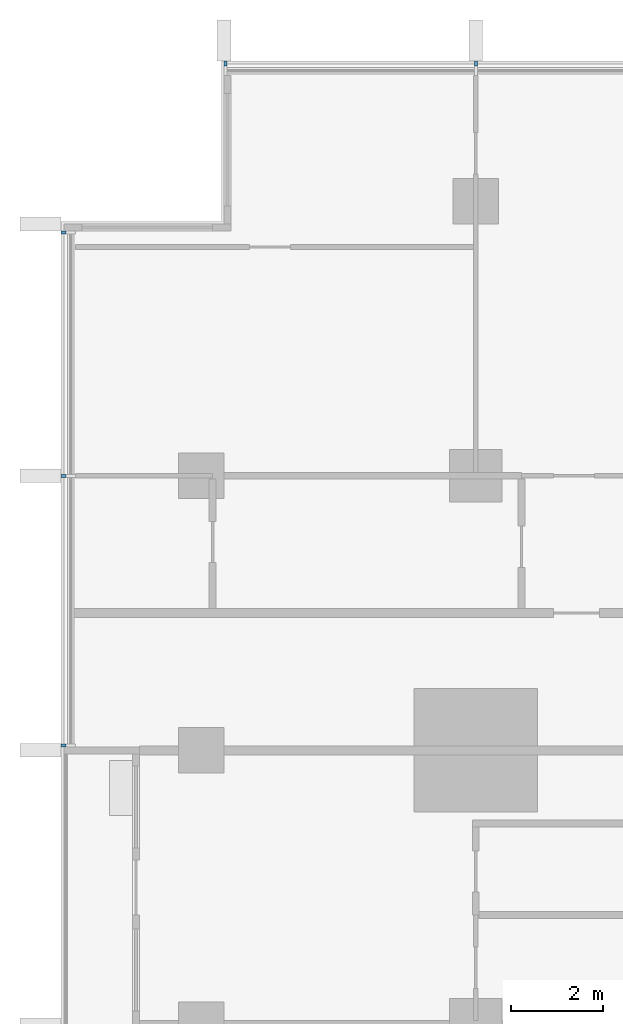
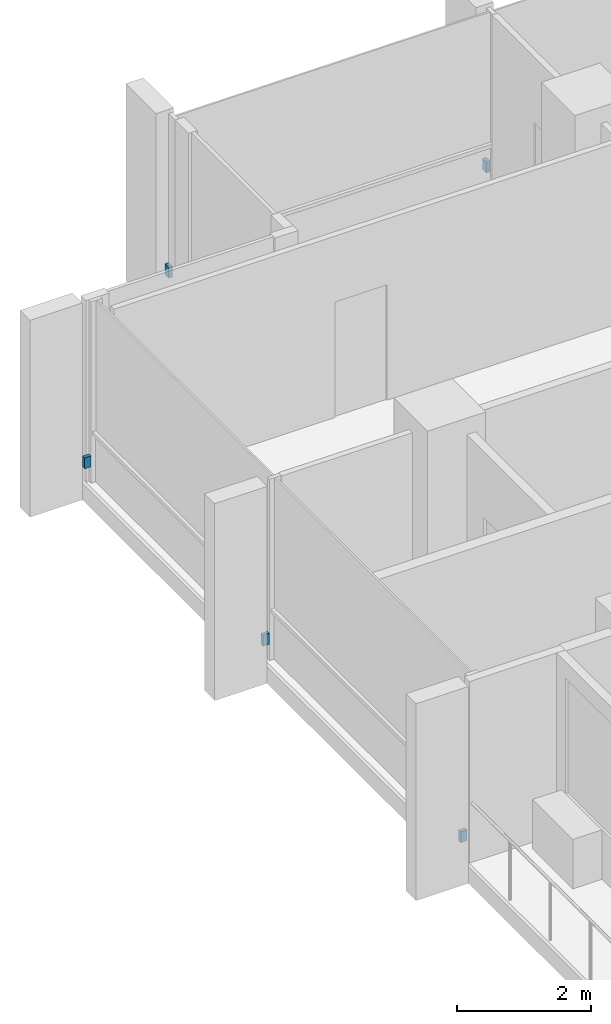
# One storey, part 15 of 17: 5 discrete accessories.
"""IFC4 building model written with IfcOpenShell, lengths in metres."""

from ifc_helpers import new_model, si_unit, direction, frame, origin, origin_2d, place, context, subcontext, project, spatial, rectangle, extrude, material, type_object, element, save


model = new_model("IFC4")

# Units and contexts
model_context = context("Model", 3, precision=1e-05, world=origin(), true_north=direction((0.0, 1.0)))
body_context = subcontext(model_context, "Body", "Model", "MODEL_VIEW")
ifc_project = project(units=[si_unit("LENGTHUNIT", "METRE"), si_unit("AREAUNIT", "SQUARE_METRE"), si_unit("VOLUMEUNIT", "CUBIC_METRE"), si_unit("PLANEANGLEUNIT", "RADIAN"), si_unit("MASSUNIT", "GRAM", prefix="KILO")], contexts=[model_context])

# Site, building, storey
site_placement = place(None, origin())
site = spatial("IfcSite", under=ifc_project, at=site_placement, CompositionType="ELEMENT")
building_placement = place(site_placement, origin())
building = spatial("IfcBuilding", under=site, at=building_placement, Name="Finial Court Residences", CompositionType="ELEMENT")
storey_placement = place(building_placement, frame((0.0, 0.0, 117.10009765625)))
storey = spatial("IfcBuildingStorey", under=building, at=storey_placement, Name="L29", CompositionType="ELEMENT", Elevation=117.10009765625)

# Discrete accessories
ifc_material = material(Name="Stainless steel 316", Category="steel")
discrete_accessory_type = type_object("IfcDiscreteAccessoryType", Name="Fin bracket, stainless steel 65 x 110 x 200", PredefinedType="BRACKET", material=ifc_material)
for number, where, z_axis, x_axis, name in (
    (1, (-21.967529296875, 22.5048828125, 0.2998046875), (0.0, 0.0, 1.0), (1.0, 0.0, 0.0), "E-L29-FIN-N1-BRK"),
    (2, (-16.5, 22.5048828125, 0.2998046875), (0.0, 0.0, 1.0), (1.0, 0.0, 0.0), "E-L29-FIN-N2-BRK"),
):
    element("IfcDiscreteAccessory", number, at=place(storey_placement, frame(where, z_axis=z_axis, x_axis=x_axis)), inside=storey, type_object=discrete_accessory_type, Name=name, PredefinedType="BRACKET", context=body_context, shape_type="SweptSolid", body=[
        extrude(rectangle(XDim=0.06494140625, YDim=0.110107421875, at=origin_2d()), origin(), (0.0, 0.0, 1.0), 0.199951171875),
    ])
for number, where, z_axis, x_axis, name in (
    (3, (-25.5048828125, 7.607421875, 0.2998046875), (0.0, 0.0, 1.0), (1.0, 0.0, 0.0), "E-L29-FIN-W30-BRK"),
    (4, (-25.5048828125, 13.5, 0.2998046875), (0.0, 0.0, 1.0), (1.0, 0.0, 0.0), "E-L29-FIN-W31-BRK"),
    (5, (-25.5048828125, 18.8173828125, 0.2998046875), (0.0, 0.0, 1.0), (1.0, 0.0, 0.0), "E-L29-FIN-W32-BRK"),
):
    element("IfcDiscreteAccessory", number, at=place(storey_placement, frame(where, z_axis=z_axis, x_axis=x_axis)), inside=storey, type_object=discrete_accessory_type, Name=name, PredefinedType="BRACKET", context=body_context, shape_type="SweptSolid", body=[
        extrude(rectangle(XDim=0.110107421875, YDim=0.06494140625, at=origin_2d()), origin(), (0.0, 0.0, 1.0), 0.199951171875),
    ])

save(model, "model.ifc")
